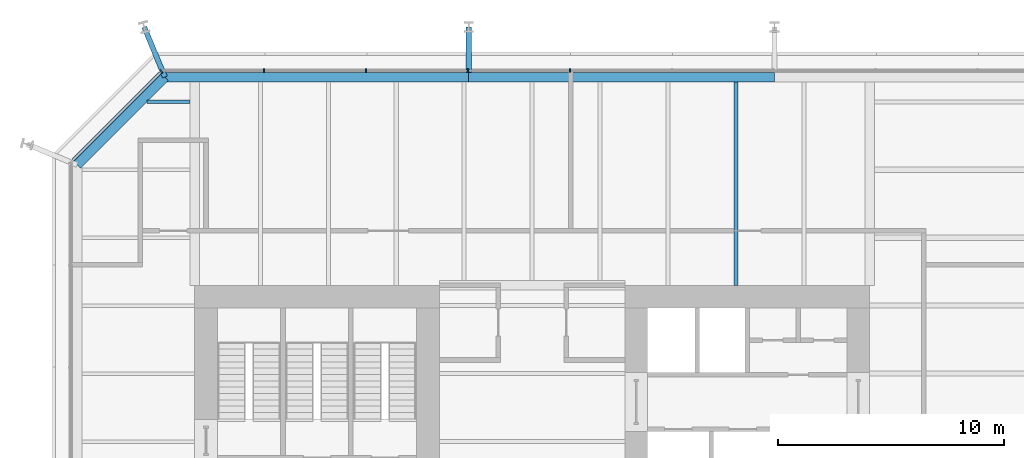
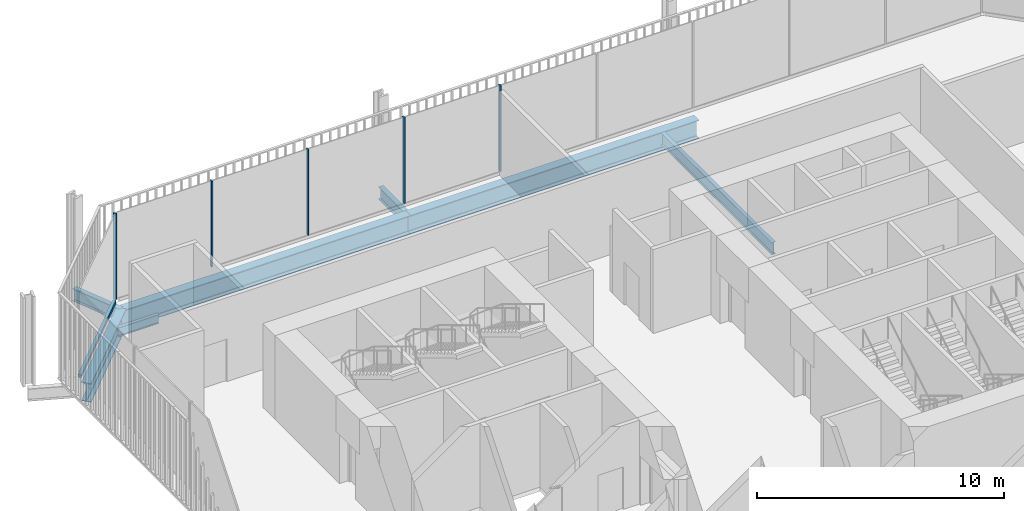
# One storey, part 12 of 20: 7 beams, 6 members, 2 elements without a shape of their own.
"""IFC4 building model written with IfcOpenShell, lengths in metres."""

from ifc_helpers import new_model, si_unit, direction, frame, origin, origin_2d, place, context, subcontext, project, spatial, rectangle, i_section, extrude, material, layer, layer_set, material_profile, profile_set, type_object, element, aggregate, save


model = new_model("IFC4")

# Units and contexts
model_context = context("Model", 3, precision=1e-05, world=origin(), true_north=direction((0.0, 1.0)))
body_context = subcontext(model_context, "Body", "Model", "MODEL_VIEW")
ifc_project = project(units=[si_unit("LENGTHUNIT", "METRE"), si_unit("AREAUNIT", "SQUARE_METRE"), si_unit("VOLUMEUNIT", "CUBIC_METRE"), si_unit("PLANEANGLEUNIT", "RADIAN"), si_unit("MASSUNIT", "GRAM", prefix="KILO")], contexts=[model_context])

# Site, building, storey
site_placement = place(None, origin())
site = spatial("IfcSite", under=ifc_project, at=site_placement, CompositionType="ELEMENT")
building_placement = place(site_placement, origin())
building = spatial("IfcBuilding", under=site, at=building_placement, Name="Millrace Tower", CompositionType="ELEMENT")
storey_placement = place(building_placement, frame((0.0, 0.0, 108.39990234375)))
storey = spatial("IfcBuildingStorey", under=building, at=storey_placement, Name="L24", CompositionType="ELEMENT", Elevation=108.39990234375)

# Curtain wall, members
ifc_material_1 = material(Name="Aluminium and glass", Category="aluminium")
ifc_layer = layer(ifc_material_1, 0.14990234375)
ifc_layer_set = layer_set([ifc_layer], Name="Aluminium and glass")
curtain_wall_type = type_object("IfcCurtainWallType", Name="CW-3 telecom floor curtain wall", PredefinedType="NOTDEFINED", material=ifc_layer_set)
placement = place(storey_placement, origin())
curtain_wall_1 = element("IfcCurtainWall", 1, at=placement, inside=storey, type_object=curtain_wall_type, Name="Curtain wall B-F06 L24", PredefinedType="NOTDEFINED")
ifc_material_2 = material(Name="Aluminium", Category="aluminium")
ifc_material_profile_1 = material_profile(ifc_material_2, rectangle(XDim=0.06494140625, YDim=0.14990234375, at=origin_2d()))
ifc_profile_set_1 = profile_set([ifc_material_profile_1], Name="Aluminium")
member_type_1 = type_object("IfcMemberType", Name="CW-3 telecom floor curtain wall mullion", PredefinedType="MULLION", material=ifc_profile_set_1)
member_1_placement = place(storey_placement, frame((1.66748046875, 19.375, 0.150146484375), z_axis=(0.0, 0.0, 1.0), x_axis=(-1.0, 0.0, 0.0)))
member_1 = element("IfcMember", 2, at=member_1_placement, type_object=member_type_1, Name="CW3 mullion B-F06.6", PredefinedType="MULLION", context=body_context, shape_type="SweptSolid", body=[
    extrude(rectangle(XDim=0.06494140625, YDim=0.14990234375, at=origin_2d()), origin(), (0.0, 0.0, 1.0), 4.25),
])
member_2_placement = place(storey_placement, frame((-2.83251953125, 19.375, 0.150146484375), z_axis=(0.0, 0.0, 1.0), x_axis=(-1.0, 0.0, 0.0)))
member_2 = element("IfcMember", 3, at=member_2_placement, type_object=member_type_1, Name="CW3 mullion B-F06.7", PredefinedType="MULLION", context=body_context, shape_type="SweptSolid", body=[
    extrude(rectangle(XDim=0.06494140625, YDim=0.14990234375, at=origin_2d()), origin(), (0.0, 0.0, 1.0), 4.25),
])
member_3_placement = place(storey_placement, frame((-7.33251953125, 19.375, 0.150146484375), z_axis=(0.0, 0.0, 1.0), x_axis=(-1.0, 0.0, 0.0)))
member_3 = element("IfcMember", 4, at=member_3_placement, type_object=member_type_1, Name="CW3 mullion B-F06.8", PredefinedType="MULLION", context=body_context, shape_type="SweptSolid", body=[
    extrude(rectangle(XDim=0.06494140625, YDim=0.14990234375, at=origin_2d()), origin(), (0.0, 0.0, 1.0), 4.25),
])
member_4_placement = place(storey_placement, frame((-11.83251953125, 19.375, 0.150146484375), z_axis=(0.0, 0.0, 1.0), x_axis=(-1.0, 0.0, 0.0)))
member_4 = element("IfcMember", 5, at=member_4_placement, type_object=member_type_1, Name="CW3 mullion B-F06.9", PredefinedType="MULLION", context=body_context, shape_type="SweptSolid", body=[
    extrude(rectangle(XDim=0.06494140625, YDim=0.14990234375, at=origin_2d()), origin(), (0.0, 0.0, 1.0), 4.25),
])
aggregate(curtain_wall_1, [member_1, member_2, member_3, member_4])

curtain_wall_2 = element("IfcCurtainWall", 6, at=placement, inside=storey, type_object=curtain_wall_type, Name="Curtain wall B-F07 L24", PredefinedType="NOTDEFINED")
member_5_placement = place(storey_placement, frame((-16.3759765625, 19.330078125, 0.150146484375), z_axis=(0.0, 0.0, 1.0), x_axis=(-0.707106781187, -0.707106781187, 0.0)))
member_5 = element("IfcMember", 7, at=member_5_placement, type_object=member_type_1, Name="CW3 mullion B-F07.1", PredefinedType="MULLION", context=body_context, shape_type="SweptSolid", body=[
    extrude(rectangle(XDim=0.06494140625, YDim=0.14990234375, at=origin_2d()), origin(), (0.0, 0.0, 1.0), 4.25),
])
ifc_material_3 = material(Name="Aluminium", Category="aluminium")
ifc_material_profile_2 = material_profile(ifc_material_3, rectangle(XDim=0.14990234375, YDim=0.14990234375, at=origin_2d()))
ifc_profile_set_2 = profile_set([ifc_material_profile_2], Name="Aluminium")
member_type_2 = type_object("IfcMemberType", Name="CW-3 telecom floor curtain wall transom", PredefinedType="USERDEFINED", material=ifc_profile_set_2)
member_6_placement = place(storey_placement, frame((-16.423828125, 19.2822265625, 0.0751953125), z_axis=(-0.707106781187, -0.707106781187, 0.0), x_axis=(0.707106781187, -0.707106781187, 0.0)))
member_6 = element("IfcMember", 8, at=member_6_placement, type_object=member_type_2, Name="CW3 transom B-F07.1", ObjectType="TRANSOM", PredefinedType="USERDEFINED", context=body_context, shape_type="SweptSolid", body=[
    extrude(rectangle(XDim=0.14990234375, YDim=0.14990234375, at=origin_2d()), origin(), (0.0, 0.0, 1.0), 5.45654296875),
])
aggregate(curtain_wall_2, [member_5, member_6])

# Beams
ifc_material_4 = material(Name="Steel ASTM A992 Grade 50", Category="steel")
ifc_material_profile_3 = material_profile(ifc_material_4, i_section(OverallWidth=0.15234375, OverallDepth=0.449462890625, WebThickness=0.007568359375, FlangeThickness=0.0107421875, FilletRadius=0.01025390625, at=origin_2d()))
ifc_profile_set_3 = profile_set([ifc_material_profile_3], Name="Steel ASTM A992 Grade 50")
beam_type_1 = type_object("IfcBeamType", Name="Floor beam W18x35", PredefinedType="JOIST", material=ifc_profile_set_3)
beam_1_placement = place(storey_placement, frame((-16.995361328125, 18.0, -0.4248046875), z_axis=(1.0, 0.0, 0.0), x_axis=(0.0, 1.0, 0.0)))
element("IfcBeam", 9, at=beam_1_placement, inside=storey, type_object=beam_type_1, Name="BM-B-L24-S1-S038", PredefinedType="JOIST", context=body_context, shape_type="SweptSolid", body=[
    extrude(i_section(OverallWidth=0.15234375, OverallDepth=0.449462890625, WebThickness=0.007568359375, FlangeThickness=0.0107421875, FilletRadius=0.01025390625, at=origin_2d()), origin(), (0.0, 0.0, 1.0), 1.884521484375),
])
ifc_material_5 = material(Name="Steel ASTM A992 Grade 50", Category="steel")
ifc_material_profile_4 = material_profile(ifc_material_5, i_section(OverallWidth=0.177978515625, OverallDepth=0.599365234375, WebThickness=0.010009765625, FlangeThickness=0.012939453125, FilletRadius=0.012939453125, at=origin_2d()))
ifc_profile_set_4 = profile_set([ifc_material_profile_4], Name="Steel ASTM A992 Grade 50")
beam_type_2 = type_object("IfcBeamType", Name="Floor beam W24x55", PredefinedType="JOIST", material=ifc_profile_set_4)
beam_2_placement = place(storey_placement, frame((9.0, 9.89990234375, -0.49951171875), z_axis=(0.0, 1.0, 0.0), x_axis=(-1.0, 0.0, 0.0)))
element("IfcBeam", 10, at=beam_2_placement, inside=storey, type_object=beam_type_2, Name="BM-B-L24-S1-S054", PredefinedType="JOIST", context=body_context, shape_type="SweptSolid", body=[
    extrude(i_section(OverallWidth=0.177978515625, OverallDepth=0.599365234375, WebThickness=0.010009765625, FlangeThickness=0.012939453125, FilletRadius=0.012939453125, at=origin_2d()), origin(), (0.0, 0.0, 1.0), 8.98095703125),
])
ifc_material_6 = material(Name="Steel ASTM A992 Grade 50", Category="steel")
ifc_material_profile_5 = material_profile(ifc_material_6, i_section(OverallWidth=0.23046875, OverallDepth=0.6171875, WebThickness=0.01318359375, FlangeThickness=0.022216796875, FilletRadius=0.012939453125, at=origin_2d()))
ifc_profile_set_5 = profile_set([ifc_material_profile_5], Name="Steel ASTM A992 Grade 50")
beam_type_3 = type_object("IfcBeamType", Name="Link beam W24x94", PredefinedType="BEAM", material=ifc_profile_set_5)
beam_3_placement = place(storey_placement, frame((-16.213134765625, 19.09033203125, -0.508544921875), z_axis=(-0.382679341507, 0.923881226989, 0.0), x_axis=(-0.923881226989, -0.382679341507, 0.0)))
element("IfcBeam", 11, at=beam_3_placement, inside=storey, type_object=beam_type_3, Name="LNK-B-L24-S1-05", PredefinedType="BEAM", context=body_context, shape_type="SweptSolid", body=[
    extrude(i_section(OverallWidth=0.23046875, OverallDepth=0.6171875, WebThickness=0.01318359375, FlangeThickness=0.022216796875, FilletRadius=0.012939453125, at=origin_2d()), origin(), (0.0, 0.0, 1.0), 2.391845703125),
])
beam_4_placement = place(storey_placement, frame((-2.800048828125, 19.300048828125, -0.508544921875), z_axis=(0.0, 1.0, 0.0), x_axis=(-1.0, 0.0, 0.0)))
element("IfcBeam", 12, at=beam_4_placement, inside=storey, type_object=beam_type_3, Name="LNK-B-L24-S1-06", PredefinedType="BEAM", context=body_context, shape_type="SweptSolid", body=[
    extrude(i_section(OverallWidth=0.23046875, OverallDepth=0.6171875, WebThickness=0.01318359375, FlangeThickness=0.022216796875, FilletRadius=0.012939453125, at=origin_2d()), origin(), (0.0, 0.0, 1.0), 2.0),
])
ifc_material_7 = material(Name="Steel ASTM A992 Grade 50", Category="steel")
ifc_material_profile_6 = material_profile(ifc_material_7, i_section(OverallWidth=0.419189453125, OverallDepth=0.927001953125, WebThickness=0.019287109375, FlangeThickness=0.031982421875, FilletRadius=0.024169921875, at=origin_2d()))
ifc_profile_set_6 = profile_set([ifc_material_profile_6], Name="Steel ASTM A992 Grade 50")
beam_type_4 = type_object("IfcBeamType", Name="Ring beam medium span W36x231", PredefinedType="SPANDREL", material=ifc_profile_set_6)
beam_5_placement = place(storey_placement, frame((-16.213134765625, 19.09033203125, -0.66357421875), z_axis=(1.0, 0.0, 0.0), x_axis=(0.0, 1.0, 0.0)))
element("IfcBeam", 13, at=beam_5_placement, inside=storey, type_object=beam_type_4, Name="RNG-B-L24-S1-05", PredefinedType="SPANDREL", context=body_context, shape_type="SweptSolid", body=[
    extrude(i_section(OverallWidth=0.419189453125, OverallDepth=0.927001953125, WebThickness=0.019287109375, FlangeThickness=0.031982421875, FilletRadius=0.024169921875, at=origin_2d()), origin(), (0.0, 0.0, 1.0), 13.4130859375),
])
beam_6_placement = place(storey_placement, frame((-2.800048828125, 19.09033203125, -0.66357421875), z_axis=(1.0, 0.0, 0.0), x_axis=(0.0, 1.0, 0.0)))
element("IfcBeam", 14, at=beam_6_placement, inside=storey, type_object=beam_type_4, Name="RNG-B-L24-S1-06", PredefinedType="SPANDREL", context=body_context, shape_type="SweptSolid", body=[
    extrude(i_section(OverallWidth=0.419189453125, OverallDepth=0.927001953125, WebThickness=0.019287109375, FlangeThickness=0.031982421875, FilletRadius=0.024169921875, at=origin_2d()), origin(), (0.0, 0.0, 1.0), 13.5),
])
ifc_material_8 = material(Name="Steel ASTM A992 Grade 50", Category="steel")
ifc_material_profile_7 = material_profile(ifc_material_8, i_section(OverallWidth=0.419189453125, OverallDepth=0.927001953125, WebThickness=0.019287109375, FlangeThickness=0.031982421875, FilletRadius=0.024169921875, at=origin_2d()))
ifc_profile_set_7 = profile_set([ifc_material_profile_7], Name="Steel ASTM A992 Grade 50")
beam_type_5 = type_object("IfcBeamType", Name="Ring beam short span W36x231", PredefinedType="SPANDREL", material=ifc_profile_set_7)
beam_7_placement = place(storey_placement, frame((-20.09033203125, 15.213134765625, -0.66357421875), z_axis=(0.707106781187, 0.707106781187, 0.0), x_axis=(-0.707106781187, 0.707106781187, 0.0)))
element("IfcBeam", 15, at=beam_7_placement, inside=storey, type_object=beam_type_5, Name="RNG-B-L24-S1-04", PredefinedType="SPANDREL", context=body_context, shape_type="SweptSolid", body=[
    extrude(i_section(OverallWidth=0.419189453125, OverallDepth=0.927001953125, WebThickness=0.019287109375, FlangeThickness=0.031982421875, FilletRadius=0.024169921875, at=origin_2d()), origin(), (0.0, 0.0, 1.0), 5.483154296875),
])

save(model, "model.ifc")
